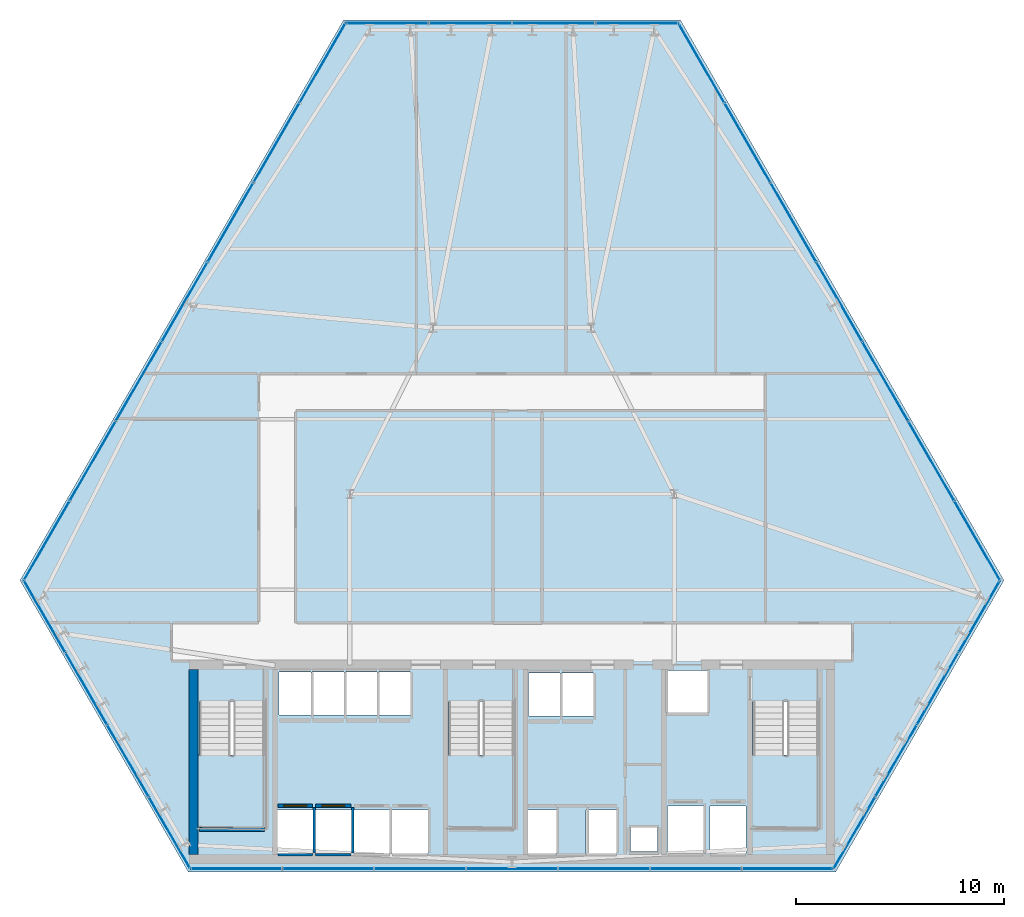
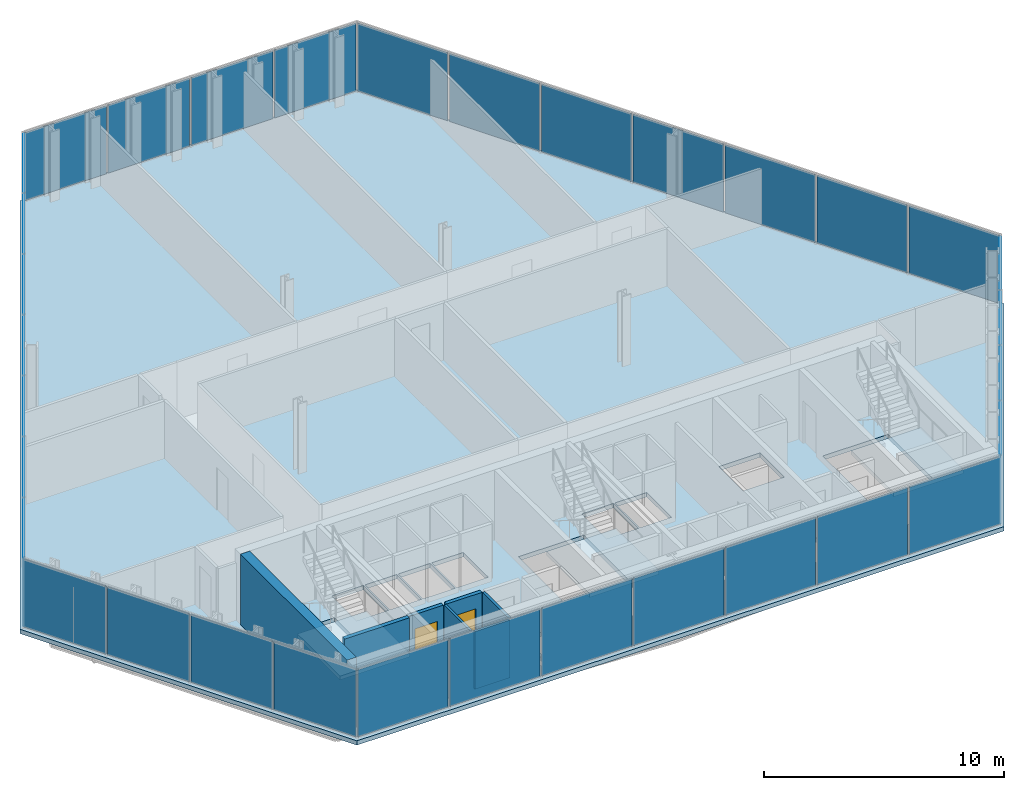
# One storey, part 26 of 32: 33 plates, 8 walls, 4 slabs, 2 doors, 2 openings, 9 elements without a shape of their own.
"""IFC4 building model written with IfcOpenShell, lengths in metres."""

from ifc_helpers import new_model, si_unit, direction, frame, frame_2d, origin, origin_2d, place, context, subcontext, project, spatial, polyline, rectangle, outline, extrude, material, layer, layer_set, type_object, element, fill, aggregate, save


model = new_model("IFC4")

# Units and contexts
model_context = context("Model", 3, precision=1e-05, world=origin(), true_north=direction((0.0, 1.0)))
body_context = subcontext(model_context, "Body", "Model", "MODEL_VIEW")
ifc_project = project(units=[si_unit("LENGTHUNIT", "METRE"), si_unit("AREAUNIT", "SQUARE_METRE"), si_unit("VOLUMEUNIT", "CUBIC_METRE"), si_unit("PLANEANGLEUNIT", "RADIAN"), si_unit("MASSUNIT", "GRAM", prefix="KILO")], contexts=[model_context])

# Site, building, storey
site_placement = place(None, origin())
site = spatial("IfcSite", under=ifc_project, at=site_placement, CompositionType="ELEMENT")
building_placement = place(site_placement, origin())
building = spatial("IfcBuilding", under=site, at=building_placement, Name="Ndaravel Arena Tower", CompositionType="ELEMENT")
storey_placement = place(building_placement, frame((0.0, 0.0, 51.199951171875)))
storey = spatial("IfcBuildingStorey", under=building, at=storey_placement, Name="L10", CompositionType="ELEMENT", Elevation=51.199951171875)

# Curtain wall, plate
ifc_material_1 = material(Name="Aluminium", Category="aluminium")
ifc_layer_1 = layer(ifc_material_1, 0.179931640625)
ifc_layer_set_1 = layer_set([ifc_layer_1], Name="Aluminium")
curtain_wall_type_1 = type_object("IfcCurtainWallType", Name="CW-SYS-01", PredefinedType="NOTDEFINED", material=ifc_layer_set_1)
curtain_wall_1_placement = place(storey_placement, origin())
curtain_wall_1 = element("IfcCurtainWall", 1, at=curtain_wall_1_placement, inside=storey, type_object=curtain_wall_type_1, Name="L10 Faceted Crystal Curtain Wall CW-L10-E02", PredefinedType="NOTDEFINED")
ifc_material_2 = material(Name="Glazing", Category="glass")
ifc_layer_2 = layer(ifc_material_2, 0.035888671875)
ifc_layer_set_2 = layer_set([ifc_layer_2], Name="Glazing")
plate_type_1 = type_object("IfcPlateType", Name="PLT-CW-OPVENT", PredefinedType="CURTAIN_PANEL", material=ifc_layer_set_2)
plate_1_placement = place(storey_placement, frame((60.48486328125, 10.36474609375, 0.06005859375), z_axis=(0.0, 0.0, 1.0), x_axis=(0.5, 0.866025403784, 0.0)))
plate_1 = element("IfcPlate", 2, at=plate_1_placement, type_object=plate_type_1, Name="CW-L10-E02 Operable Vent Sash Panel 02", PredefinedType="CURTAIN_PANEL", context=body_context, shape_type="SweptSolid", body=[
    extrude(rectangle(XDim=3.9267578125, YDim=0.035888671875, at=origin_2d()), origin(), (0.0, 0.0, 1.0), 3.4599609375),
])

curtain_wall_2_placement = place(storey_placement, origin())
curtain_wall_2 = element("IfcCurtainWall", 3, at=curtain_wall_2_placement, inside=storey, type_object=curtain_wall_type_1, Name="L10 Faceted Crystal Curtain Wall CW-L10-E04", PredefinedType="NOTDEFINED")
plate_2_placement = place(storey_placement, frame((44.00341796875, 45.851318359375, 0.06005859375), z_axis=(0.0, 0.0, 1.0), x_axis=(-1.0, 0.0, 0.0)))
plate_2 = element("IfcPlate", 4, at=plate_2_placement, type_object=plate_type_1, Name="CW-L10-E04 Operable Vent Sash Panel 02", PredefinedType="CURTAIN_PANEL", context=body_context, shape_type="SweptSolid", body=[
    extrude(rectangle(XDim=3.9267578125, YDim=0.035888671875, at=origin_2d()), origin(), (0.0, 0.0, 1.0), 3.4599609375),
])

ifc_material_3 = material(Name="Aluminium", Category="aluminium")
ifc_layer_3 = layer(ifc_material_3, 0.179931640625)
ifc_layer_set_3 = layer_set([ifc_layer_3], Name="Aluminium")
curtain_wall_type_2 = type_object("IfcCurtainWallType", Name="CW-SYS-02", PredefinedType="NOTDEFINED", material=ifc_layer_set_3)
curtain_wall_3_placement = place(storey_placement, origin())
curtain_wall_3 = element("IfcCurtainWall", 5, at=curtain_wall_3_placement, inside=storey, type_object=curtain_wall_type_2, Name="L10 Faceted Crystal Curtain Wall CW-L10-E06", PredefinedType="NOTDEFINED")
plate_3_placement = place(storey_placement, frame((21.51171875, 13.834716796875, 0.06005859375), z_axis=(0.0, 0.0, 1.0), x_axis=(0.5, -0.866025403784, 0.0)))
plate_3 = element("IfcPlate", 6, at=plate_3_placement, type_object=plate_type_1, Name="CW-L10-E06 Operable Vent Sash Panel 02", PredefinedType="CURTAIN_PANEL", context=body_context, shape_type="SweptSolid", body=[
    extrude(rectangle(XDim=3.9267578125, YDim=0.035888671875, at=origin_2d()), origin(), (0.0, 0.0, 1.0), 3.4599609375),
])

# Plate
ifc_material_4 = material(Name="Glazing", Category="glass")
ifc_layer_4 = layer(ifc_material_4, 0.031982421875)
ifc_layer_set_4 = layer_set([ifc_layer_4], Name="Glazing")
plate_type_2 = type_object("IfcPlateType", Name="PLT-GLZ-FRIT35", PredefinedType="CURTAIN_PANEL", material=ifc_layer_set_4)
plate_4_placement = place(storey_placement, frame((58.481689453125, 6.89501953125, 0.06005859375), z_axis=(0.0, 0.0, 1.0), x_axis=(0.5, 0.866025403784, 0.0)))
plate_4 = element("IfcPlate", 7, at=plate_4_placement, type_object=plate_type_2, Name="CW-L10-E02 Vision Glass Panel 01", PredefinedType="CURTAIN_PANEL", context=body_context, shape_type="SweptSolid", body=[
    extrude(rectangle(XDim=3.9267578125, YDim=0.035888671875, at=origin_2d()), origin(), (0.0, 0.0, 1.0), 3.4599609375),
])

plate_5_placement = place(storey_placement, frame((62.48828125, 13.834716796875, 0.06005859375), z_axis=(0.0, 0.0, 1.0), x_axis=(0.5, 0.866025403784, 0.0)))
plate_5 = element("IfcPlate", 8, at=plate_5_placement, type_object=plate_type_2, Name="CW-L10-E02 Vision Glass Panel 03", PredefinedType="CURTAIN_PANEL", context=body_context, shape_type="SweptSolid", body=[
    extrude(rectangle(XDim=3.9267578125, YDim=0.035888671875, at=origin_2d()), origin(), (0.0, 0.0, 1.0), 3.4599609375),
])

plate_6_placement = place(storey_placement, frame((64.491455078125, 17.3046875, 0.06005859375), z_axis=(0.0, 0.0, 1.0), x_axis=(0.5, 0.866025403784, 0.0)))
plate_6 = element("IfcPlate", 9, at=plate_6_placement, type_object=plate_type_2, Name="CW-L10-E02 Vision Glass Panel 04", PredefinedType="CURTAIN_PANEL", context=body_context, shape_type="SweptSolid", body=[
    extrude(rectangle(XDim=3.9267578125, YDim=0.035888671875, at=origin_2d()), origin(), (0.0, 0.0, 1.0), 3.4599609375),
])

aggregate(curtain_wall_1, [plate_4, plate_1, plate_5, plate_6])

plate_7_placement = place(storey_placement, frame((48.010009765625, 45.851318359375, 0.06005859375), z_axis=(0.0, 0.0, 1.0), x_axis=(-1.0, 0.0, 0.0)))
plate_7 = element("IfcPlate", 10, at=plate_7_placement, type_object=plate_type_2, Name="CW-L10-E04 Vision Glass Panel 01", PredefinedType="CURTAIN_PANEL", context=body_context, shape_type="SweptSolid", body=[
    extrude(rectangle(XDim=3.9267578125, YDim=0.035888671875, at=origin_2d()), origin(), (0.0, 0.0, 1.0), 3.4599609375),
])

plate_8_placement = place(storey_placement, frame((39.99658203125, 45.851318359375, 0.06005859375), z_axis=(0.0, 0.0, 1.0), x_axis=(-1.0, 0.0, 0.0)))
plate_8 = element("IfcPlate", 11, at=plate_8_placement, type_object=plate_type_2, Name="CW-L10-E04 Vision Glass Panel 03", PredefinedType="CURTAIN_PANEL", context=body_context, shape_type="SweptSolid", body=[
    extrude(rectangle(XDim=3.9267578125, YDim=0.035888671875, at=origin_2d()), origin(), (0.0, 0.0, 1.0), 3.4599609375),
])

plate_9_placement = place(storey_placement, frame((35.989990234375, 45.851318359375, 0.06005859375), z_axis=(0.0, 0.0, 1.0), x_axis=(-1.0, 0.0, 0.0)))
plate_9 = element("IfcPlate", 12, at=plate_9_placement, type_object=plate_type_2, Name="CW-L10-E04 Vision Glass Panel 04", PredefinedType="CURTAIN_PANEL", context=body_context, shape_type="SweptSolid", body=[
    extrude(rectangle(XDim=3.9267578125, YDim=0.035888671875, at=origin_2d()), origin(), (0.0, 0.0, 1.0), 3.4599609375),
])

aggregate(curtain_wall_2, [plate_7, plate_2, plate_8, plate_9])

ifc_material_5 = material(Name="Glazing", Category="glass")
ifc_layer_5 = layer(ifc_material_5, 0.035888671875)
ifc_layer_set_5 = layer_set([ifc_layer_5], Name="Glazing")
plate_type_3 = type_object("IfcPlateType", Name="PLT-GLZ-FRIT55", PredefinedType="CURTAIN_PANEL", material=ifc_layer_set_5)
plate_10_placement = place(storey_placement, frame((19.508544921875, 17.3046875, 0.06005859375), z_axis=(0.0, 0.0, 1.0), x_axis=(0.5, -0.866025403784, 0.0)))
plate_10 = element("IfcPlate", 13, at=plate_10_placement, type_object=plate_type_3, Name="CW-L10-E06 Vision Glass Panel 01", PredefinedType="CURTAIN_PANEL", context=body_context, shape_type="SweptSolid", body=[
    extrude(rectangle(XDim=3.9267578125, YDim=0.035888671875, at=origin_2d()), origin(), (0.0, 0.0, 1.0), 3.4599609375),
])

plate_11_placement = place(storey_placement, frame((23.51513671875, 10.36474609375, 0.06005859375), z_axis=(0.0, 0.0, 1.0), x_axis=(0.5, -0.866025403784, 0.0)))
plate_11 = element("IfcPlate", 14, at=plate_11_placement, type_object=plate_type_3, Name="CW-L10-E06 Vision Glass Panel 03", PredefinedType="CURTAIN_PANEL", context=body_context, shape_type="SweptSolid", body=[
    extrude(rectangle(XDim=3.9267578125, YDim=0.035888671875, at=origin_2d()), origin(), (0.0, 0.0, 1.0), 3.4599609375),
])

plate_12_placement = place(storey_placement, frame((25.518310546875, 6.89501953125, 0.06005859375), z_axis=(0.0, 0.0, 1.0), x_axis=(0.5, -0.866025403784, 0.0)))
plate_12 = element("IfcPlate", 15, at=plate_12_placement, type_object=plate_type_3, Name="CW-L10-E06 Vision Glass Panel 04", PredefinedType="CURTAIN_PANEL", context=body_context, shape_type="SweptSolid", body=[
    extrude(rectangle(XDim=3.9267578125, YDim=0.035888671875, at=origin_2d()), origin(), (0.0, 0.0, 1.0), 3.4599609375),
])

aggregate(curtain_wall_3, [plate_10, plate_3, plate_11, plate_12])

# Curtain wall, plates
ifc_material_6 = material(Name="Aluminium", Category="aluminium")
ifc_layer_6 = layer(ifc_material_6, 0.179931640625)
ifc_layer_set_6 = layer_set([ifc_layer_6], Name="Aluminium")
curtain_wall_type_3 = type_object("IfcCurtainWallType", Name="CW-SYS-03", PredefinedType="NOTDEFINED", material=ifc_layer_set_6)
curtain_wall_4_placement = place(storey_placement, origin())
curtain_wall_4 = element("IfcCurtainWall", 16, at=curtain_wall_4_placement, inside=storey, type_object=curtain_wall_type_3, Name="L10 Faceted Crystal Curtain Wall CW-L10-E01", PredefinedType="NOTDEFINED")
ifc_material_7 = material(Name="Glazing", Category="glass")
ifc_layer_7 = layer(ifc_material_7, 0.0400390625)
ifc_layer_set_7 = layer_set([ifc_layer_7], Name="Glazing")
plate_type_4 = type_object("IfcPlateType", Name="PLT-GLZ-LOWIRON", PredefinedType="CURTAIN_PANEL", material=ifc_layer_set_7)
plate_13_placement = place(storey_placement, frame((28.7314453125, 5.159912109375, 0.06005859375), z_axis=(0.0, 0.0, 1.0), x_axis=(1.0, 0.0, 0.0)))
plate_13 = element("IfcPlate", 17, at=plate_13_placement, type_object=plate_type_4, Name="CW-L10-E01 Vision Glass Panel 01", PredefinedType="CURTAIN_PANEL", context=body_context, shape_type="SweptSolid", body=[
    extrude(rectangle(XDim=4.3427734375, YDim=0.035888671875, at=origin_2d()), origin(), (0.0, 0.0, 1.0), 3.4599609375),
])
plate_14_placement = place(storey_placement, frame((33.154296875, 5.159912109375, 0.06005859375), z_axis=(0.0, 0.0, 1.0), x_axis=(1.0, 0.0, 0.0)))
plate_14 = element("IfcPlate", 18, at=plate_14_placement, type_object=plate_type_4, Name="CW-L10-E01 Vision Glass Panel 02", PredefinedType="CURTAIN_PANEL", context=body_context, shape_type="SweptSolid", body=[
    extrude(rectangle(XDim=4.3427734375, YDim=0.035888671875, at=origin_2d()), origin(), (0.0, 0.0, 1.0), 3.4599609375),
])
plate_15_placement = place(storey_placement, frame((37.5771484375, 5.159912109375, 0.06005859375), z_axis=(0.0, 0.0, 1.0), x_axis=(1.0, 0.0, 0.0)))
plate_15 = element("IfcPlate", 19, at=plate_15_placement, type_object=plate_type_4, Name="CW-L10-E01 Vision Glass Panel 03", PredefinedType="CURTAIN_PANEL", context=body_context, shape_type="SweptSolid", body=[
    extrude(rectangle(XDim=4.3427734375, YDim=0.035888671875, at=origin_2d()), origin(), (0.0, 0.0, 1.0), 3.4599609375),
])
plate_16_placement = place(storey_placement, frame((42.0, 5.159912109375, 0.06005859375), z_axis=(0.0, 0.0, 1.0), x_axis=(1.0, 0.0, 0.0)))
plate_16 = element("IfcPlate", 20, at=plate_16_placement, type_object=plate_type_4, Name="CW-L10-E01 Vision Glass Panel 04", PredefinedType="CURTAIN_PANEL", context=body_context, shape_type="SweptSolid", body=[
    extrude(rectangle(XDim=4.3427734375, YDim=0.035888671875, at=origin_2d()), origin(), (0.0, 0.0, 1.0), 3.4599609375),
])
plate_17_placement = place(storey_placement, frame((46.4228515625, 5.159912109375, 0.06005859375), z_axis=(0.0, 0.0, 1.0), x_axis=(1.0, 0.0, 0.0)))
plate_17 = element("IfcPlate", 21, at=plate_17_placement, type_object=plate_type_4, Name="CW-L10-E01 Vision Glass Panel 05", PredefinedType="CURTAIN_PANEL", context=body_context, shape_type="SweptSolid", body=[
    extrude(rectangle(XDim=4.3427734375, YDim=0.035888671875, at=origin_2d()), origin(), (0.0, 0.0, 1.0), 3.4599609375),
])
plate_18_placement = place(storey_placement, frame((50.845703125, 5.159912109375, 0.06005859375), z_axis=(0.0, 0.0, 1.0), x_axis=(1.0, 0.0, 0.0)))
plate_18 = element("IfcPlate", 22, at=plate_18_placement, type_object=plate_type_4, Name="CW-L10-E01 Vision Glass Panel 06", PredefinedType="CURTAIN_PANEL", context=body_context, shape_type="SweptSolid", body=[
    extrude(rectangle(XDim=4.3427734375, YDim=0.035888671875, at=origin_2d()), origin(), (0.0, 0.0, 1.0), 3.4599609375),
])
plate_19_placement = place(storey_placement, frame((55.2685546875, 5.159912109375, 0.06005859375), z_axis=(0.0, 0.0, 1.0), x_axis=(1.0, 0.0, 0.0)))
plate_19 = element("IfcPlate", 23, at=plate_19_placement, type_object=plate_type_4, Name="CW-L10-E01 Vision Glass Panel 07", PredefinedType="CURTAIN_PANEL", context=body_context, shape_type="SweptSolid", body=[
    extrude(rectangle(XDim=4.3427734375, YDim=0.035888671875, at=origin_2d()), origin(), (0.0, 0.0, 1.0), 3.4599609375),
])
aggregate(curtain_wall_4, [plate_13, plate_14, plate_15, plate_16, plate_17, plate_18, plate_19])

curtain_wall_5_placement = place(storey_placement, origin())
curtain_wall_5 = element("IfcCurtainWall", 24, at=curtain_wall_5_placement, inside=storey, type_object=curtain_wall_type_3, Name="L10 Faceted Crystal Curtain Wall CW-L10-E03", PredefinedType="NOTDEFINED")
plate_20_placement = place(storey_placement, frame((64.387451171875, 20.95458984375, 0.06005859375), z_axis=(0.0, 0.0, 1.0), x_axis=(-0.5, 0.866025403784, 0.0)))
plate_20 = element("IfcPlate", 25, at=plate_20_placement, type_object=plate_type_4, Name="CW-L10-E03 Vision Glass Panel 01", PredefinedType="CURTAIN_PANEL", context=body_context, shape_type="SweptSolid", body=[
    extrude(rectangle(XDim=4.3427734375, YDim=0.035888671875, at=origin_2d()), origin(), (0.0, 0.0, 1.0), 3.4599609375),
])
plate_21_placement = place(storey_placement, frame((62.176025390625, 24.784912109375, 0.06005859375), z_axis=(0.0, 0.0, 1.0), x_axis=(-0.5, 0.866025403784, 0.0)))
plate_21 = element("IfcPlate", 26, at=plate_21_placement, type_object=plate_type_4, Name="CW-L10-E03 Vision Glass Panel 02", PredefinedType="CURTAIN_PANEL", context=body_context, shape_type="SweptSolid", body=[
    extrude(rectangle(XDim=4.3427734375, YDim=0.035888671875, at=origin_2d()), origin(), (0.0, 0.0, 1.0), 3.4599609375),
])
plate_22_placement = place(storey_placement, frame((59.964599609375, 28.615234375, 0.06005859375), z_axis=(0.0, 0.0, 1.0), x_axis=(-0.5, 0.866025403784, 0.0)))
plate_22 = element("IfcPlate", 27, at=plate_22_placement, type_object=plate_type_4, Name="CW-L10-E03 Vision Glass Panel 03", PredefinedType="CURTAIN_PANEL", context=body_context, shape_type="SweptSolid", body=[
    extrude(rectangle(XDim=4.3427734375, YDim=0.035888671875, at=origin_2d()), origin(), (0.0, 0.0, 1.0), 3.4599609375),
])
plate_23_placement = place(storey_placement, frame((57.75341796875, 32.445556640625, 0.06005859375), z_axis=(0.0, 0.0, 1.0), x_axis=(-0.5, 0.866025403784, 0.0)))
plate_23 = element("IfcPlate", 28, at=plate_23_placement, type_object=plate_type_4, Name="CW-L10-E03 Vision Glass Panel 04", PredefinedType="CURTAIN_PANEL", context=body_context, shape_type="SweptSolid", body=[
    extrude(rectangle(XDim=4.3427734375, YDim=0.035888671875, at=origin_2d()), origin(), (0.0, 0.0, 1.0), 3.4599609375),
])
plate_24_placement = place(storey_placement, frame((55.541748046875, 36.275634765625, 0.06005859375), z_axis=(0.0, 0.0, 1.0), x_axis=(-0.5, 0.866025403784, 0.0)))
plate_24 = element("IfcPlate", 29, at=plate_24_placement, type_object=plate_type_4, Name="CW-L10-E03 Vision Glass Panel 05", PredefinedType="CURTAIN_PANEL", context=body_context, shape_type="SweptSolid", body=[
    extrude(rectangle(XDim=4.3427734375, YDim=0.035888671875, at=origin_2d()), origin(), (0.0, 0.0, 1.0), 3.4599609375),
])
plate_25_placement = place(storey_placement, frame((53.330322265625, 40.10595703125, 0.06005859375), z_axis=(0.0, 0.0, 1.0), x_axis=(-0.5, 0.866025403784, 0.0)))
plate_25 = element("IfcPlate", 30, at=plate_25_placement, type_object=plate_type_4, Name="CW-L10-E03 Vision Glass Panel 06", PredefinedType="CURTAIN_PANEL", context=body_context, shape_type="SweptSolid", body=[
    extrude(rectangle(XDim=4.3427734375, YDim=0.035888671875, at=origin_2d()), origin(), (0.0, 0.0, 1.0), 3.4599609375),
])
plate_26_placement = place(storey_placement, frame((51.118896484375, 43.936279296875, 0.06005859375), z_axis=(0.0, 0.0, 1.0), x_axis=(-0.5, 0.866025403784, 0.0)))
plate_26 = element("IfcPlate", 31, at=plate_26_placement, type_object=plate_type_4, Name="CW-L10-E03 Vision Glass Panel 07", PredefinedType="CURTAIN_PANEL", context=body_context, shape_type="SweptSolid", body=[
    extrude(rectangle(XDim=4.3427734375, YDim=0.035888671875, at=origin_2d()), origin(), (0.0, 0.0, 1.0), 3.4599609375),
])
aggregate(curtain_wall_5, [plate_20, plate_21, plate_22, plate_23, plate_24, plate_25, plate_26])

curtain_wall_6_placement = place(storey_placement, origin())
curtain_wall_6 = element("IfcCurtainWall", 32, at=curtain_wall_6_placement, inside=storey, type_object=curtain_wall_type_3, Name="L10 Faceted Crystal Curtain Wall CW-L10-E05", PredefinedType="NOTDEFINED")
plate_27_placement = place(storey_placement, frame((32.881103515625, 43.936279296875, 0.06005859375), z_axis=(0.0, 0.0, 1.0), x_axis=(-0.5, -0.866025403784, 0.0)))
plate_27 = element("IfcPlate", 33, at=plate_27_placement, type_object=plate_type_4, Name="CW-L10-E05 Vision Glass Panel 01", PredefinedType="CURTAIN_PANEL", context=body_context, shape_type="SweptSolid", body=[
    extrude(rectangle(XDim=4.3427734375, YDim=0.035888671875, at=origin_2d()), origin(), (0.0, 0.0, 1.0), 3.4599609375),
])
plate_28_placement = place(storey_placement, frame((30.669677734375, 40.10595703125, 0.06005859375), z_axis=(0.0, 0.0, 1.0), x_axis=(-0.5, -0.866025403784, 0.0)))
plate_28 = element("IfcPlate", 34, at=plate_28_placement, type_object=plate_type_4, Name="CW-L10-E05 Vision Glass Panel 02", PredefinedType="CURTAIN_PANEL", context=body_context, shape_type="SweptSolid", body=[
    extrude(rectangle(XDim=4.3427734375, YDim=0.035888671875, at=origin_2d()), origin(), (0.0, 0.0, 1.0), 3.4599609375),
])
plate_29_placement = place(storey_placement, frame((28.458251953125, 36.275634765625, 0.06005859375), z_axis=(0.0, 0.0, 1.0), x_axis=(-0.5, -0.866025403784, 0.0)))
plate_29 = element("IfcPlate", 35, at=plate_29_placement, type_object=plate_type_4, Name="CW-L10-E05 Vision Glass Panel 03", PredefinedType="CURTAIN_PANEL", context=body_context, shape_type="SweptSolid", body=[
    extrude(rectangle(XDim=4.3427734375, YDim=0.035888671875, at=origin_2d()), origin(), (0.0, 0.0, 1.0), 3.4599609375),
])
plate_30_placement = place(storey_placement, frame((26.24658203125, 32.445556640625, 0.06005859375), z_axis=(0.0, 0.0, 1.0), x_axis=(-0.5, -0.866025403784, 0.0)))
plate_30 = element("IfcPlate", 36, at=plate_30_placement, type_object=plate_type_4, Name="CW-L10-E05 Vision Glass Panel 04", PredefinedType="CURTAIN_PANEL", context=body_context, shape_type="SweptSolid", body=[
    extrude(rectangle(XDim=4.3427734375, YDim=0.035888671875, at=origin_2d()), origin(), (0.0, 0.0, 1.0), 3.4599609375),
])
plate_31_placement = place(storey_placement, frame((24.035400390625, 28.615234375, 0.06005859375), z_axis=(0.0, 0.0, 1.0), x_axis=(-0.5, -0.866025403784, 0.0)))
plate_31 = element("IfcPlate", 37, at=plate_31_placement, type_object=plate_type_4, Name="CW-L10-E05 Vision Glass Panel 05", PredefinedType="CURTAIN_PANEL", context=body_context, shape_type="SweptSolid", body=[
    extrude(rectangle(XDim=4.3427734375, YDim=0.035888671875, at=origin_2d()), origin(), (0.0, 0.0, 1.0), 3.4599609375),
])
plate_32_placement = place(storey_placement, frame((21.823974609375, 24.784912109375, 0.06005859375), z_axis=(0.0, 0.0, 1.0), x_axis=(-0.5, -0.866025403784, 0.0)))
plate_32 = element("IfcPlate", 38, at=plate_32_placement, type_object=plate_type_4, Name="CW-L10-E05 Vision Glass Panel 06", PredefinedType="CURTAIN_PANEL", context=body_context, shape_type="SweptSolid", body=[
    extrude(rectangle(XDim=4.3427734375, YDim=0.035888671875, at=origin_2d()), origin(), (0.0, 0.0, 1.0), 3.4599609375),
])
plate_33_placement = place(storey_placement, frame((19.612548828125, 20.95458984375, 0.06005859375), z_axis=(0.0, 0.0, 1.0), x_axis=(-0.5, -0.866025403784, 0.0)))
plate_33 = element("IfcPlate", 39, at=plate_33_placement, type_object=plate_type_4, Name="CW-L10-E05 Vision Glass Panel 07", PredefinedType="CURTAIN_PANEL", context=body_context, shape_type="SweptSolid", body=[
    extrude(rectangle(XDim=4.3427734375, YDim=0.035888671875, at=origin_2d()), origin(), (0.0, 0.0, 1.0), 3.4599609375),
])
aggregate(curtain_wall_6, [plate_27, plate_28, plate_29, plate_30, plate_31, plate_32, plate_33])

# Stair, slab
ifc_material_8 = material(Name="Concrete C40/50", Category="concrete")
stair_type = type_object("IfcStairType", Name="STAIR-CORE-HT", PredefinedType="HALF_TURN_STAIR", material=ifc_material_8)
stair_1_placement = place(storey_placement, origin())
stair_1 = element("IfcStair", 40, at=stair_1_placement, inside=storey, type_object=stair_type, Name="L10 ST-1", PredefinedType="HALF_TURN_STAIR")
ifc_material_9 = material(Name="Concrete C40/50", Category="concrete")
ifc_layer_8 = layer(ifc_material_9, 0.199951171875)
ifc_layer_set_8 = layer_set([ifc_layer_8], Name="Concrete C40/50")
slab_type_1 = type_object("IfcSlabType", Name="SLAB-STAIR-LANDING", PredefinedType="LANDING", material=ifc_layer_set_8)
slab_1_placement = place(storey_placement, frame((0.0, 0.0, 1.699951171875)))
slab_1 = element("IfcSlab", 41, at=slab_1_placement, type_object=slab_type_1, Name="ST-1 landing 1", PredefinedType="LANDING", context=body_context, shape_type="SweptSolid", body=[
    extrude(outline(polyline([(26.81005859375, 10.6298828125), (26.81005859375, 7.070068359375), (30.169921875, 7.070068359375), (30.169921875, 10.6298828125), (26.81005859375, 10.6298828125)])), origin(), (0.0, 0.0, 1.0), 0.2001953125),
])
aggregate(stair_1, [slab_1])

stair_2_placement = place(storey_placement, origin())
stair_2 = element("IfcStair", 42, at=stair_2_placement, inside=storey, type_object=stair_type, Name="L10 ST-2", PredefinedType="HALF_TURN_STAIR")
slab_2_placement = place(storey_placement, frame((0.0, 0.0, 1.699951171875)))
slab_2 = element("IfcSlab", 43, at=slab_2_placement, type_object=slab_type_1, Name="ST-2 landing 1", PredefinedType="LANDING", context=body_context, shape_type="SweptSolid", body=[
    extrude(outline(polyline([(38.81005859375, 10.6298828125), (38.81005859375, 7.070068359375), (42.169921875, 7.070068359375), (42.169921875, 10.6298828125), (38.81005859375, 10.6298828125)])), origin(), (0.0, 0.0, 1.0), 0.2001953125),
])
aggregate(stair_2, [slab_2])

stair_3_placement = place(storey_placement, origin())
stair_3 = element("IfcStair", 44, at=stair_3_placement, inside=storey, type_object=stair_type, Name="L10 ST-3", PredefinedType="HALF_TURN_STAIR")
slab_3_placement = place(storey_placement, frame((0.0, 0.0, 1.699951171875)))
slab_3 = element("IfcSlab", 45, at=slab_3_placement, type_object=slab_type_1, Name="ST-3 landing 1", PredefinedType="LANDING", context=body_context, shape_type="SweptSolid", body=[
    extrude(outline(polyline([(53.4599609375, 10.6298828125), (53.4599609375, 7.070068359375), (56.820068359375, 7.070068359375), (56.820068359375, 10.6298828125), (53.4599609375, 10.6298828125)])), origin(), (0.0, 0.0, 1.0), 0.2001953125),
])
aggregate(stair_3, [slab_3])

# Slab
ifc_material_10 = material(Name="Concrete C40/50", Category="concrete")
ifc_layer_9 = layer(ifc_material_10, 0.219970703125)
ifc_layer_set_9 = layer_set([ifc_layer_9], Name="Concrete C40/50")
slab_type_2 = type_object("IfcSlabType", Name="SLAB-TWR-220", PredefinedType="FLOOR", material=ifc_layer_set_9)
slab_4_placement = place(storey_placement, frame((0.0, 0.0, -0.219970703125)))
element("IfcSlab", 46, at=slab_4_placement, inside=storey, type_object=slab_type_2, Name="L10 Structural Floor Slab", PredefinedType="FLOOR", context=body_context, shape_type="SweptSolid", body=[
    extrude(outline(polyline([(18.322021484375, 19.03955078125), (26.427734375, 5.0), (57.572265625, 5.0), (65.677978515625, 19.03955078125), (50.105712890625, 46.011474609375), (33.894287109375, 46.011474609375), (18.322021484375, 19.03955078125)]), holes=[polyline([(26.949951171875, 13.215087890625), (26.949951171875, 7.14990234375), (30.090087890625, 7.14990234375), (30.090087890625, 13.215087890625), (26.949951171875, 13.215087890625)]), polyline([(38.949951171875, 13.215087890625), (38.949951171875, 7.14990234375), (42.090087890625, 7.14990234375), (42.090087890625, 13.215087890625), (38.949951171875, 13.215087890625)]), polyline([(53.60009765625, 13.215087890625), (53.60009765625, 7.14990234375), (56.739990234375, 7.14990234375), (56.739990234375, 13.215087890625), (53.60009765625, 13.215087890625)]), polyline([(30.68505859375, 5.909912109375), (32.4150390625, 5.909912109375), (32.4150390625, 7.989990234375), (30.68505859375, 7.989990234375), (30.68505859375, 5.909912109375)]), polyline([(32.534912109375, 5.909912109375), (34.264892578125, 5.909912109375), (34.264892578125, 7.989990234375), (32.534912109375, 7.989990234375), (32.534912109375, 5.909912109375)]), polyline([(34.385009765625, 5.909912109375), (36.114990234375, 5.909912109375), (36.114990234375, 7.989990234375), (34.385009765625, 7.989990234375), (34.385009765625, 5.909912109375)]), polyline([(36.235107421875, 5.909912109375), (37.965087890625, 5.909912109375), (37.965087890625, 7.989990234375), (36.235107421875, 7.989990234375), (36.235107421875, 5.909912109375)]), polyline([(30.784912109375, 12.56005859375), (32.31494140625, 12.56005859375), (32.31494140625, 14.639892578125), (30.784912109375, 14.639892578125), (30.784912109375, 12.56005859375)]), polyline([(32.385009765625, 12.56005859375), (33.9150390625, 12.56005859375), (33.9150390625, 14.639892578125), (32.385009765625, 14.639892578125), (32.385009765625, 12.56005859375)]), polyline([(33.985107421875, 12.56005859375), (35.514892578125, 12.56005859375), (35.514892578125, 14.639892578125), (33.985107421875, 14.639892578125), (33.985107421875, 12.56005859375)]), polyline([(35.5849609375, 12.56005859375), (37.114990234375, 12.56005859375), (37.114990234375, 14.639892578125), (35.5849609375, 14.639892578125), (35.5849609375, 12.56005859375)]), polyline([(42.659912109375, 5.909912109375), (44.139892578125, 5.909912109375), (44.139892578125, 7.989990234375), (42.659912109375, 7.989990234375), (42.659912109375, 5.909912109375)]), polyline([(45.56005859375, 5.909912109375), (47.0400390625, 5.909912109375), (47.0400390625, 7.989990234375), (45.56005859375, 7.989990234375), (45.56005859375, 5.909912109375)]), polyline([(42.784912109375, 12.510009765625), (44.31494140625, 12.510009765625), (44.31494140625, 14.590087890625), (42.784912109375, 14.590087890625), (42.784912109375, 12.510009765625)]), polyline([(44.385009765625, 12.510009765625), (45.9150390625, 12.510009765625), (45.9150390625, 14.590087890625), (44.385009765625, 14.590087890625), (44.385009765625, 12.510009765625)]), polyline([(49.485107421875, 5.909912109375), (51.215087890625, 5.909912109375), (51.215087890625, 8.18994140625), (49.485107421875, 8.18994140625), (49.485107421875, 5.909912109375)]), polyline([(51.534912109375, 5.909912109375), (53.264892578125, 5.909912109375), (53.264892578125, 8.18994140625), (51.534912109375, 8.18994140625), (51.534912109375, 5.909912109375)]), polyline([(49.4599609375, 12.68505859375), (51.43994140625, 12.68505859375), (51.43994140625, 14.715087890625), (49.4599609375, 14.715087890625), (49.4599609375, 12.68505859375)]), polyline([(47.699951171875, 6.0), (49.0, 6.0), (49.0, 7.139892578125), (47.699951171875, 7.139892578125), (47.699951171875, 6.0)])]), origin(), (0.0, 0.0, 1.0), 0.219970703125),
])

# Walls
ifc_material_11 = material(Name="Concrete C60/75", Category="concrete")
ifc_layer_10 = layer(ifc_material_11, 0.449951171875)
ifc_layer_set_10 = layer_set([ifc_layer_10], Name="Concrete C60/75")
wall_type_1 = type_object("IfcWallType", Name="WALL-CORE-450", PredefinedType="SOLIDWALL", material=ifc_layer_set_10)
wall_1_placement = place(storey_placement, frame((26.675048828125, 5.85009765625, 0.0), z_axis=(0.0, 0.0, 1.0), x_axis=(0.0, 1.0, 0.0)))
element("IfcWall", 47, at=wall_1_placement, inside=storey, type_object=wall_type_1, Name="L10 Core West Shear Wall", PredefinedType="SOLIDWALL", context=body_context, shape_type="SweptSolid", body=[
    extrude(rectangle(XDim=8.89990234375, YDim=0.449951171875, at=frame_2d((4.449951171875, 0.0))), origin(), (0.0, 0.0, 1.0), 3.580078125),
])
ifc_material_12 = material(Name="Concrete C40/50", Category="concrete")
ifc_layer_11 = layer(ifc_material_12, 0.1201171875)
ifc_layer_set_11 = layer_set([ifc_layer_11], Name="Concrete C40/50")
wall_type_2 = type_object("IfcWallType", Name="WALL-SHAFT-120", PredefinedType="SOLIDWALL", material=ifc_layer_set_11)
wall_2_placement = place(storey_placement, frame((30.72998046875, 5.840087890625, 0.0), z_axis=(0.0, 0.0, 1.0), x_axis=(1.0, 0.0, 0.0)))
element("IfcWall", 48, at=wall_2_placement, inside=storey, type_object=wall_type_2, Name="L10 PL-L1 Shaft Rear Wall", PredefinedType="SOLIDWALL", context=body_context, shape_type="SweptSolid", body=[
    extrude(rectangle(XDim=1.6650390625, YDim=0.1201171875, at=frame_2d((0.83251953125, 0.0))), origin(), (0.0, 0.0, 1.0), 2.932861328125),
])
wall_3_placement = place(storey_placement, frame((32.47509765625, 5.929931640625, 0.0), z_axis=(0.0, 0.0, 1.0), x_axis=(0.0, 1.0, 0.0)))
element("IfcWall", 49, at=wall_3_placement, inside=storey, type_object=wall_type_2, Name="L10 PL-L1 Shaft Side R Wall", PredefinedType="SOLIDWALL", context=body_context, shape_type="SweptSolid", body=[
    extrude(rectangle(XDim=2.18017578125, YDim=0.1201171875, at=frame_2d((1.090087890625, 0.0))), origin(), (0.0, 0.0, 1.0), 2.932861328125),
])
wall_4_placement = place(storey_placement, frame((32.554931640625, 5.840087890625, 0.0), z_axis=(0.0, 0.0, 1.0), x_axis=(1.0, 0.0, 0.0)))
element("IfcWall", 50, at=wall_4_placement, inside=storey, type_object=wall_type_2, Name="L10 PL-L2 Shaft Rear Wall", PredefinedType="SOLIDWALL", context=body_context, shape_type="SweptSolid", body=[
    extrude(rectangle(XDim=1.690185546875, YDim=0.1201171875, at=frame_2d((0.84521484375, 0.0))), origin(), (0.0, 0.0, 1.0), 2.932861328125),
])
wall_5_placement = place(storey_placement, frame((34.324951171875, 5.929931640625, 0.0), z_axis=(0.0, 0.0, 1.0), x_axis=(0.0, 1.0, 0.0)))
element("IfcWall", 51, at=wall_5_placement, inside=storey, type_object=wall_type_2, Name="L10 PL-L2 Shaft Side R Wall", PredefinedType="SOLIDWALL", context=body_context, shape_type="SweptSolid", body=[
    extrude(rectangle(XDim=2.18017578125, YDim=0.1201171875, at=frame_2d((1.090087890625, 0.0))), origin(), (0.0, 0.0, 1.0), 2.932861328125),
])
ifc_material_13 = material(Name="Concrete C40/50", Category="concrete")
ifc_layer_12 = layer(ifc_material_13, 0.199951171875)
ifc_layer_set_12 = layer_set([ifc_layer_12], Name="Concrete C40/50")
wall_type_3 = type_object("IfcWallType", Name="WALL-SHAFT-200", PredefinedType="SOLIDWALL", material=ifc_layer_set_12)
wall_6_placement = place(storey_placement, frame((26.969970703125, 7.050048828125, 0.0), z_axis=(0.0, 0.0, 1.0), x_axis=(1.0, 0.0, 0.0)))
element("IfcWall", 52, at=wall_6_placement, inside=storey, type_object=wall_type_3, Name="L10 ST-1 Structural Shaft Wall Far", PredefinedType="SOLIDWALL", context=body_context, shape_type="SweptSolid", body=[
    extrude(rectangle(XDim=3.114990234375, YDim=0.199951171875, at=frame_2d((1.5576171875, 0.0))), origin(), (0.0, 0.0, 1.0), 3.800048828125),
])

# Wall, opening, door
wall_7_placement = place(storey_placement, frame((30.72998046875, 8.199951171875, 0.0), z_axis=(0.0, 0.0, 1.0), x_axis=(1.0, 0.0, 0.0)))
wall_7 = element("IfcWall", 53, at=wall_7_placement, inside=storey, type_object=wall_type_3, Name="L10 PL-L1 Shaft Landing Wall", PredefinedType="SOLIDWALL", context=body_context, shape_type="SweptSolid", body=[
    extrude(rectangle(XDim=1.6650390625, YDim=0.179931640625, at=frame_2d((0.83251953125, 0.0))), origin(), (0.0, 0.0, 1.0), 2.932861328125),
])
opening_1_placement = place(wall_7_placement, frame((0.282470703125, 0.0, 0.0)))
opening_1 = element("IfcOpeningElement", 54, at=opening_1_placement, cuts=wall_7, Name="Opening LD-01", PredefinedType="OPENING", context=body_context, shape_type="SweptSolid", body=[
    extrude(rectangle(XDim=1.10009765625, YDim=2.199951171875, at=frame_2d((0.550048828125, 1.10009765625))), frame((0.0, 0.08984375, 0.0), z_axis=(0.0, -1.0, 0.0), x_axis=(1.0, 0.0, 0.0)), (0.0, 0.0, 1.0), 0.179931640625),
])
ifc_material_14 = material(Name="Steel S355", Category="steel")
door_type = type_object("IfcDoorType", Name="DT-06-LIFT-1100", OperationType="SLIDING_TO_LEFT", PredefinedType="DOOR", material=ifc_material_14)
door_1_placement = place(opening_1_placement, origin())
door_1 = element("IfcDoor", 55, at=door_1_placement, inside=storey, type_object=door_type, Name="L10 Lift PL-L1 Sliding Landing Door", OperationType="SLIDING_TO_LEFT", OverallHeight=2.199951171875, OverallWidth=1.10009765625, PredefinedType="DOOR", context=body_context, shape_type="SweptSolid", body=[
    extrude(rectangle(XDim=1.10009765625, YDim=2.199951171875, at=frame_2d((0.550048828125, 1.10009765625))), frame((0.0, 0.02490234375, 0.0), z_axis=(0.0, -1.0, 0.0), x_axis=(1.0, 0.0, 0.0)), (0.0, 0.0, 1.0), 0.050048828125),
])
fill(opening_1, door_1)

wall_8_placement = place(storey_placement, frame((32.554931640625, 8.199951171875, 0.0), z_axis=(0.0, 0.0, 1.0), x_axis=(1.0, 0.0, 0.0)))
wall_8 = element("IfcWall", 56, at=wall_8_placement, inside=storey, type_object=wall_type_3, Name="L10 PL-L2 Shaft Landing Wall", PredefinedType="SOLIDWALL", context=body_context, shape_type="SweptSolid", body=[
    extrude(rectangle(XDim=1.690185546875, YDim=0.179931640625, at=frame_2d((0.84521484375, 0.0))), origin(), (0.0, 0.0, 1.0), 2.932861328125),
])
opening_2_placement = place(wall_8_placement, frame((0.294921875, 0.0, 0.0)))
opening_2 = element("IfcOpeningElement", 57, at=opening_2_placement, cuts=wall_8, Name="Opening LD-01", PredefinedType="OPENING", context=body_context, shape_type="SweptSolid", body=[
    extrude(rectangle(XDim=1.10009765625, YDim=2.199951171875, at=frame_2d((0.550048828125, 1.10009765625))), frame((0.0, 0.08984375, 0.0), z_axis=(0.0, -1.0, 0.0), x_axis=(1.0, 0.0, 0.0)), (0.0, 0.0, 1.0), 0.179931640625),
])
door_2_placement = place(opening_2_placement, origin())
door_2 = element("IfcDoor", 58, at=door_2_placement, inside=storey, type_object=door_type, Name="L10 Lift PL-L2 Sliding Landing Door", OperationType="SLIDING_TO_LEFT", OverallHeight=2.199951171875, OverallWidth=1.10009765625, PredefinedType="DOOR", context=body_context, shape_type="SweptSolid", body=[
    extrude(rectangle(XDim=1.10009765625, YDim=2.199951171875, at=frame_2d((0.550048828125, 1.10009765625))), frame((0.0, 0.02490234375, 0.0), z_axis=(0.0, -1.0, 0.0), x_axis=(1.0, 0.0, 0.0)), (0.0, 0.0, 1.0), 0.050048828125),
])
fill(opening_2, door_2)

save(model, "model.ifc")
